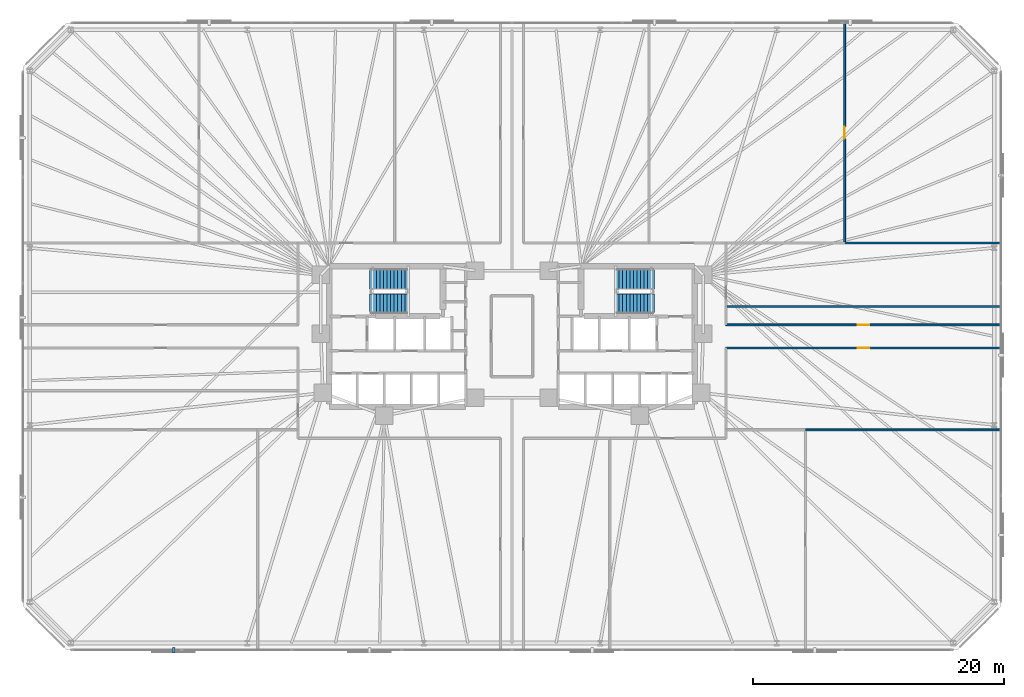
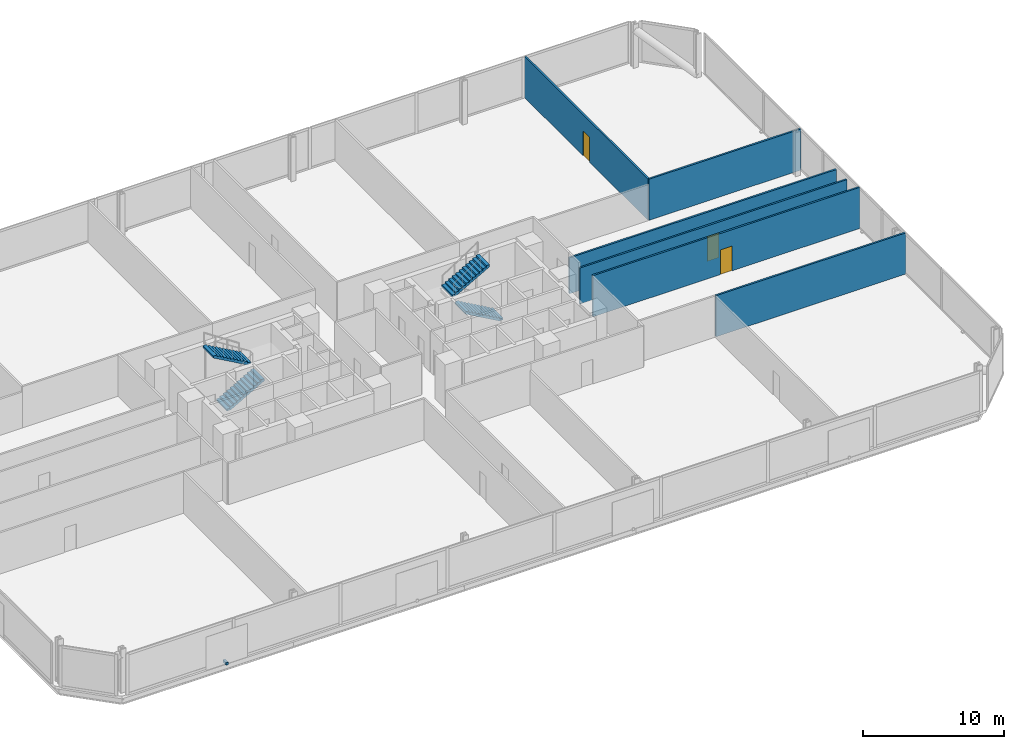
# One storey, part 15 of 17: 6 walls, 4 stair flights, 3 doors, 1 discrete accessory, 3 openings, 2 elements without a shape of their own.
"""IFC4 building model written with IfcOpenShell, lengths in metres."""

from ifc_helpers import new_model, si_unit, direction, frame, frame_2d, origin, origin_2d, place, context, subcontext, project, spatial, polyline, rectangle, outline, extrude, material, layer, layer_set, type_object, element, fill, aggregate, save


model = new_model("IFC4")

# Units and contexts
model_context = context("Model", 3, precision=1e-05, world=origin(), true_north=direction((0.0, 1.0)))
body_context = subcontext(model_context, "Body", "Model", "MODEL_VIEW")
ifc_project = project(units=[si_unit("LENGTHUNIT", "METRE"), si_unit("AREAUNIT", "SQUARE_METRE"), si_unit("VOLUMEUNIT", "CUBIC_METRE"), si_unit("PLANEANGLEUNIT", "RADIAN"), si_unit("MASSUNIT", "GRAM", prefix="KILO")], contexts=[model_context])

# Site, building, storey
site_placement = place(None, origin())
site = spatial("IfcSite", under=ifc_project, at=site_placement, CompositionType="ELEMENT")
building_placement = place(site_placement, origin())
building = spatial("IfcBuilding", under=site, at=building_placement, Name="Menara Jurai Vektor", CompositionType="ELEMENT")
storey_placement = place(building_placement, frame((0.0, 0.0, 21.800048828125)))
storey = spatial("IfcBuildingStorey", under=building, at=storey_placement, Name="L04", CompositionType="ELEMENT", Elevation=21.800048828125)

# Wall, opening, door
ifc_material_1 = material(Name="Gypsum Fireboard Partition", Category="gypsum")
ifc_layer_1 = layer(ifc_material_1, 0.14990234375)
ifc_layer_set_1 = layer_set([ifc_layer_1], Name="Gypsum Fireboard Partition")
wall_type_1 = type_object("IfcWallType", Name="INT-WALL-CORR-150", PredefinedType="PARTITIONING", material=ifc_layer_set_1)
wall_1_placement = place(storey_placement, frame((17.05908203125, -0.919921875, 0.0), z_axis=(0.0, 0.0, 1.0), x_axis=(1.0, 0.0, 0.0)))
wall_1 = element("IfcWall", 1, at=wall_1_placement, inside=storey, type_object=wall_type_1, Name="Interior Wall IW-150 L04", PredefinedType="PARTITIONING", context=body_context, shape_type="SweptSolid", body=[
    extrude(rectangle(XDim=21.94091796875, YDim=0.14990234375, at=frame_2d((10.970458984375, 0.0))), origin(), (0.0, 0.0, 1.0), 3.574951171875),
])
opening_1_placement = place(wall_1_placement, frame((10.49560546875, 0.0, 0.0)))
opening_1 = element("IfcOpeningElement", 2, at=opening_1_placement, cuts=wall_1, Name="Opening D04-17", PredefinedType="OPENING", context=body_context, shape_type="SweptSolid", body=[
    extrude(rectangle(XDim=0.949951171875, YDim=2.14990234375, at=frame_2d((0.47509765625, 1.074951171875))), frame((0.0, 0.0849609375, 0.0), z_axis=(0.0, -1.0, 0.0), x_axis=(1.0, 0.0, 0.0)), (0.0, 0.0, 1.0), 0.169921875),
])
ifc_material_2 = material(Name="Solid Core Timber Fire Door", Category="wood")
door_type = type_object("IfcDoorType", Name="DR-ENTRY-950", OperationType="NOTDEFINED", PredefinedType="DOOR", material=ifc_material_2)
door_1_placement = place(opening_1_placement, origin())
door_1 = element("IfcDoor", 3, at=door_1_placement, inside=storey, type_object=door_type, Name="Interior Door D04-17", OperationType="SINGLE_SWING_RIGHT", OverallHeight=2.14990234375, OverallWidth=0.949951171875, PredefinedType="DOOR", context=body_context, shape_type="SweptSolid", body=[
    extrude(rectangle(XDim=0.949951171875, YDim=2.14990234375, at=frame_2d((0.47509765625, 1.074951171875))), frame((0.0, 0.02490234375, 0.0), z_axis=(0.0, -1.0, 0.0), x_axis=(1.0, 0.0, 0.0)), (0.0, 0.0, 1.0), 0.050048828125),
])
fill(opening_1, door_1)

wall_2_placement = place(storey_placement, frame((26.52001953125, 7.449951171875, 0.0), z_axis=(0.0, 0.0, 1.0), x_axis=(0.0, 1.0, 0.0)))
wall_2 = element("IfcWall", 4, at=wall_2_placement, inside=storey, type_object=wall_type_1, Name="Interior Wall IW-150 L04", PredefinedType="PARTITIONING", context=body_context, shape_type="SweptSolid", body=[
    extrude(rectangle(XDim=17.550048828125, YDim=0.14990234375, at=frame_2d((8.77490234375, 0.0))), origin(), (0.0, 0.0, 1.0), 3.574951171875),
])
opening_2_placement = place(wall_2_placement, frame((8.300048828125, 0.0, 0.0)))
opening_2 = element("IfcOpeningElement", 5, at=opening_2_placement, cuts=wall_2, Name="Opening D04-21", PredefinedType="OPENING", context=body_context, shape_type="SweptSolid", body=[
    extrude(rectangle(XDim=0.949951171875, YDim=2.14990234375, at=frame_2d((0.47509765625, 1.074951171875))), frame((0.0, 0.0849609375, 0.0), z_axis=(0.0, -1.0, 0.0), x_axis=(1.0, 0.0, 0.0)), (0.0, 0.0, 1.0), 0.169921875),
])
door_2_placement = place(opening_2_placement, origin())
door_2 = element("IfcDoor", 6, at=door_2_placement, inside=storey, type_object=door_type, Name="Interior Door D04-21", OperationType="SINGLE_SWING_RIGHT", OverallHeight=2.14990234375, OverallWidth=0.949951171875, PredefinedType="DOOR", context=body_context, shape_type="SweptSolid", body=[
    extrude(rectangle(XDim=0.949951171875, YDim=2.14990234375, at=frame_2d((0.47509765625, 1.074951171875))), frame((0.0, 0.02490234375, 0.0), z_axis=(0.0, -1.0, 0.0), x_axis=(1.0, 0.0, 0.0)), (0.0, 0.0, 1.0), 0.050048828125),
])
fill(opening_2, door_2)

# Walls
wall_3_placement = place(storey_placement, frame((26.52001953125, 7.449951171875, 0.0), z_axis=(0.0, 0.0, 1.0), x_axis=(1.0, 0.0, 0.0)))
element("IfcWall", 7, at=wall_3_placement, inside=storey, type_object=wall_type_1, Name="Interior Wall IW-150 L04", PredefinedType="PARTITIONING", context=body_context, shape_type="SweptSolid", body=[
    extrude(rectangle(XDim=12.47998046875, YDim=0.14990234375, at=frame_2d((6.239990234375, 0.0))), origin(), (0.0, 0.0, 1.0), 3.574951171875),
])
wall_4_placement = place(storey_placement, frame((23.39990234375, -7.449951171875, 0.0), z_axis=(0.0, 0.0, 1.0), x_axis=(1.0, 0.0, 0.0)))
element("IfcWall", 8, at=wall_4_placement, inside=storey, type_object=wall_type_1, Name="Interior Wall IW-150 L04", PredefinedType="PARTITIONING", context=body_context, shape_type="SweptSolid", body=[
    extrude(rectangle(XDim=15.60009765625, YDim=0.14990234375, at=frame_2d((7.800048828125, 0.0))), origin(), (0.0, 0.0, 1.0), 3.574951171875),
])

# Wall, opening, door
ifc_layer_2 = layer(ifc_material_1, 0.14990234375)
ifc_layer_set_2 = layer_set([ifc_layer_2], Name="Gypsum Fireboard Partition")
wall_type_2 = type_object("IfcWallType", Name="INT-WALL-CORR-150-H1", PredefinedType="PARTITIONING", material=ifc_layer_set_2)
wall_5_placement = place(storey_placement, frame((17.05908203125, 0.919921875, 0.0), z_axis=(0.0, 0.0, 1.0), x_axis=(1.0, 0.0, 0.0)))
wall_5 = element("IfcWall", 9, at=wall_5_placement, inside=storey, type_object=wall_type_2, Name="Interior Wall IW-150 L04", PredefinedType="PARTITIONING", context=body_context, shape_type="SweptSolid", body=[
    extrude(rectangle(XDim=21.94091796875, YDim=0.14990234375, at=frame_2d((10.970458984375, 0.0))), origin(), (0.0, 0.0, 1.0), 3.125),
])
opening_3_placement = place(wall_5_placement, frame((10.49560546875, 0.0, 0.0)))
opening_3 = element("IfcOpeningElement", 10, at=opening_3_placement, cuts=wall_5, Name="Opening D04-18", PredefinedType="OPENING", context=body_context, shape_type="SweptSolid", body=[
    extrude(rectangle(XDim=0.949951171875, YDim=2.14990234375, at=frame_2d((0.47509765625, 1.074951171875))), frame((0.0, 0.0849609375, 0.0), z_axis=(0.0, -1.0, 0.0), x_axis=(1.0, 0.0, 0.0)), (0.0, 0.0, 1.0), 0.169921875),
])
door_3_placement = place(opening_3_placement, origin())
door_3 = element("IfcDoor", 11, at=door_3_placement, inside=storey, type_object=door_type, Name="Interior Door D04-18", OperationType="SINGLE_SWING_LEFT", OverallHeight=2.14990234375, OverallWidth=0.949951171875, PredefinedType="DOOR", context=body_context, shape_type="SweptSolid", body=[
    extrude(rectangle(XDim=0.949951171875, YDim=2.14990234375, at=frame_2d((0.47509765625, 1.074951171875))), frame((0.0, 0.02490234375, 0.0), z_axis=(0.0, -1.0, 0.0), x_axis=(1.0, 0.0, 0.0)), (0.0, 0.0, 1.0), 0.050048828125),
])
fill(opening_3, door_3)

# Wall
wall_6_placement = place(storey_placement, frame((17.05908203125, 2.384033203125, 0.0), z_axis=(0.0, 0.0, 1.0), x_axis=(1.0, 0.0, 0.0)))
element("IfcWall", 12, at=wall_6_placement, inside=storey, type_object=wall_type_2, Name="Interior Wall IW-150 L04", PredefinedType="PARTITIONING", context=body_context, shape_type="SweptSolid", body=[
    extrude(rectangle(XDim=21.94091796875, YDim=0.14990234375, at=frame_2d((10.970458984375, 0.0))), origin(), (0.0, 0.0, 1.0), 3.125),
])

# Stair, stair flights
ifc_material_3 = material(Name="Concrete C40/50", Category="concrete")
stair_type = type_object("IfcStairType", Name="STAIR-DOGLEG-1500", PredefinedType="HALF_TURN_STAIR", material=ifc_material_3)
stair_1_placement = place(storey_placement, origin())
stair_1 = element("IfcStair", 13, at=stair_1_placement, inside=storey, type_object=stair_type, Name="Protected Exit Stair ST1 L04", PredefinedType="HALF_TURN_STAIR")
stair_flight_type = type_object("IfcStairFlightType", Name="STAIR-FLIGHT-1500", PredefinedType="STRAIGHT", material=ifc_material_3)
stair_flight_1_placement = place(storey_placement, frame((-11.35009765625, 2.64990234375, 0.0), z_axis=(0.0, 0.0, 1.0), x_axis=(1.0, 0.0, 0.0)))
stair_flight_1 = element("IfcStairFlight", 14, at=stair_flight_1_placement, type_object=stair_flight_type, Name="ST1 flight 1", NumberOfRisers=12, NumberOfTreads=11, PredefinedType="STRAIGHT", RiserHeight=0.158333, TreadLength=0.28, context=body_context, shape_type="SweptSolid", body=[
    extrude(outline(polyline([(0.0, 0.0), (0.0, 0.158447265625), (0.280029296875, 0.158447265625), (0.280029296875, 0.316650390625), (0.56005859375, 0.316650390625), (0.56005859375, 0.47509765625), (0.840087890625, 0.47509765625), (0.840087890625, 0.63330078125), (1.1201171875, 0.63330078125), (1.1201171875, 0.791748046875), (1.39990234375, 0.791748046875), (1.39990234375, 0.949951171875), (1.679931640625, 0.949951171875), (1.679931640625, 1.1083984375), (1.9599609375, 1.1083984375), (1.9599609375, 1.2666015625), (2.239990234375, 1.2666015625), (2.239990234375, 1.425048828125), (2.52001953125, 1.425048828125), (2.52001953125, 1.583251953125), (2.800048828125, 1.583251953125), (2.800048828125, 1.74169921875), (3.080078125, 1.74169921875), (3.080078125, 1.89990234375), (3.080078125, 1.557861328125), (0.324951171875, 0.0), (0.0, 0.0)])), frame((0.0, 0.75, 0.0), z_axis=(0.0, -1.0, 0.0), x_axis=(1.0, 0.0, 0.0)), (0.0, 0.0, 1.0), 1.5),
])
stair_flight_2_placement = place(storey_placement, frame((-8.27001953125, 4.550048828125, 1.89990234375), z_axis=(0.0, 0.0, 1.0), x_axis=(-1.0, 0.0, 0.0)))
stair_flight_2 = element("IfcStairFlight", 15, at=stair_flight_2_placement, type_object=stair_flight_type, Name="ST1 flight 2", NumberOfRisers=12, NumberOfTreads=11, PredefinedType="STRAIGHT", RiserHeight=0.158333, TreadLength=0.28, context=body_context, shape_type="SweptSolid", body=[
    extrude(outline(polyline([(0.0, 0.0), (0.0, 0.158447265625), (0.280029296875, 0.158447265625), (0.280029296875, 0.316650390625), (0.56005859375, 0.316650390625), (0.56005859375, 0.47509765625), (0.840087890625, 0.47509765625), (0.840087890625, 0.63330078125), (1.1201171875, 0.63330078125), (1.1201171875, 0.791748046875), (1.39990234375, 0.791748046875), (1.39990234375, 0.949951171875), (1.679931640625, 0.949951171875), (1.679931640625, 1.1083984375), (1.9599609375, 1.1083984375), (1.9599609375, 1.2666015625), (2.239990234375, 1.2666015625), (2.239990234375, 1.425048828125), (2.52001953125, 1.425048828125), (2.52001953125, 1.583251953125), (2.800048828125, 1.583251953125), (2.800048828125, 1.74169921875), (3.080078125, 1.74169921875), (3.080078125, 1.89990234375), (3.080078125, 1.557861328125), (0.324951171875, 0.0), (0.0, 0.0)])), frame((0.0, 0.75, 0.0), z_axis=(0.0, -1.0, 0.0), x_axis=(1.0, 0.0, 0.0)), (0.0, 0.0, 1.0), 1.5),
])
aggregate(stair_1, [stair_flight_1, stair_flight_2])

stair_2_placement = place(storey_placement, origin())
stair_2 = element("IfcStair", 16, at=stair_2_placement, inside=storey, type_object=stair_type, Name="Protected Exit Stair ST2 L04", PredefinedType="HALF_TURN_STAIR")
stair_flight_3_placement = place(storey_placement, frame((11.35009765625, 2.64990234375, 0.0), z_axis=(0.0, 0.0, 1.0), x_axis=(-1.0, 0.0, 0.0)))
stair_flight_3 = element("IfcStairFlight", 17, at=stair_flight_3_placement, type_object=stair_flight_type, Name="ST2 flight 1", NumberOfRisers=12, NumberOfTreads=11, PredefinedType="STRAIGHT", RiserHeight=0.158333, TreadLength=0.28, context=body_context, shape_type="SweptSolid", body=[
    extrude(outline(polyline([(0.0, 0.0), (0.0, 0.158447265625), (0.280029296875, 0.158447265625), (0.280029296875, 0.316650390625), (0.56005859375, 0.316650390625), (0.56005859375, 0.47509765625), (0.840087890625, 0.47509765625), (0.840087890625, 0.63330078125), (1.1201171875, 0.63330078125), (1.1201171875, 0.791748046875), (1.39990234375, 0.791748046875), (1.39990234375, 0.949951171875), (1.679931640625, 0.949951171875), (1.679931640625, 1.1083984375), (1.9599609375, 1.1083984375), (1.9599609375, 1.2666015625), (2.239990234375, 1.2666015625), (2.239990234375, 1.425048828125), (2.52001953125, 1.425048828125), (2.52001953125, 1.583251953125), (2.800048828125, 1.583251953125), (2.800048828125, 1.74169921875), (3.080078125, 1.74169921875), (3.080078125, 1.89990234375), (3.080078125, 1.557861328125), (0.324951171875, 0.0), (0.0, 0.0)])), frame((0.0, 0.75, 0.0), z_axis=(0.0, -1.0, 0.0), x_axis=(1.0, 0.0, 0.0)), (0.0, 0.0, 1.0), 1.5),
])
stair_flight_4_placement = place(storey_placement, frame((8.27001953125, 4.550048828125, 1.89990234375), z_axis=(0.0, 0.0, 1.0), x_axis=(1.0, 0.0, 0.0)))
stair_flight_4 = element("IfcStairFlight", 18, at=stair_flight_4_placement, type_object=stair_flight_type, Name="ST2 flight 2", NumberOfRisers=12, NumberOfTreads=11, PredefinedType="STRAIGHT", RiserHeight=0.158333, TreadLength=0.28, context=body_context, shape_type="SweptSolid", body=[
    extrude(outline(polyline([(0.0, 0.0), (0.0, 0.158447265625), (0.280029296875, 0.158447265625), (0.280029296875, 0.316650390625), (0.56005859375, 0.316650390625), (0.56005859375, 0.47509765625), (0.840087890625, 0.47509765625), (0.840087890625, 0.63330078125), (1.1201171875, 0.63330078125), (1.1201171875, 0.791748046875), (1.39990234375, 0.791748046875), (1.39990234375, 0.949951171875), (1.679931640625, 0.949951171875), (1.679931640625, 1.1083984375), (1.9599609375, 1.1083984375), (1.9599609375, 1.2666015625), (2.239990234375, 1.2666015625), (2.239990234375, 1.425048828125), (2.52001953125, 1.425048828125), (2.52001953125, 1.583251953125), (2.800048828125, 1.583251953125), (2.800048828125, 1.74169921875), (3.080078125, 1.74169921875), (3.080078125, 1.89990234375), (3.080078125, 1.557861328125), (0.324951171875, 0.0), (0.0, 0.0)])), frame((0.0, 0.75, 0.0), z_axis=(0.0, -1.0, 0.0), x_axis=(1.0, 0.0, 0.0)), (0.0, 0.0, 1.0), 1.5),
])
aggregate(stair_2, [stair_flight_3, stair_flight_4])

# Discrete accessory
ifc_material_4 = material(Name="Steel S355", Category="steel")
discrete_accessory_type = type_object("IfcDiscreteAccessoryType", Name="ENV-ACC-BRACKET", PredefinedType="BRACKET", material=ifc_material_4)
discrete_accessory_placement = place(storey_placement, frame((-26.97998046875, -25.010009765625, -0.1298828125), z_axis=(0.0, 0.0, 1.0), x_axis=(1.0, 0.0, 0.0)))
element("IfcDiscreteAccessory", 19, at=discrete_accessory_placement, inside=storey, type_object=discrete_accessory_type, Name="Solar Screen Stand-Off Bracket L04-S01", PredefinedType="BRACKET", context=body_context, shape_type="SweptSolid", body=[
    extrude(rectangle(XDim=0.179931640625, YDim=0.43994140625, at=origin_2d()), origin(), (0.0, 0.0, 1.0), 0.219970703125),
])

save(model, "model.ifc")
